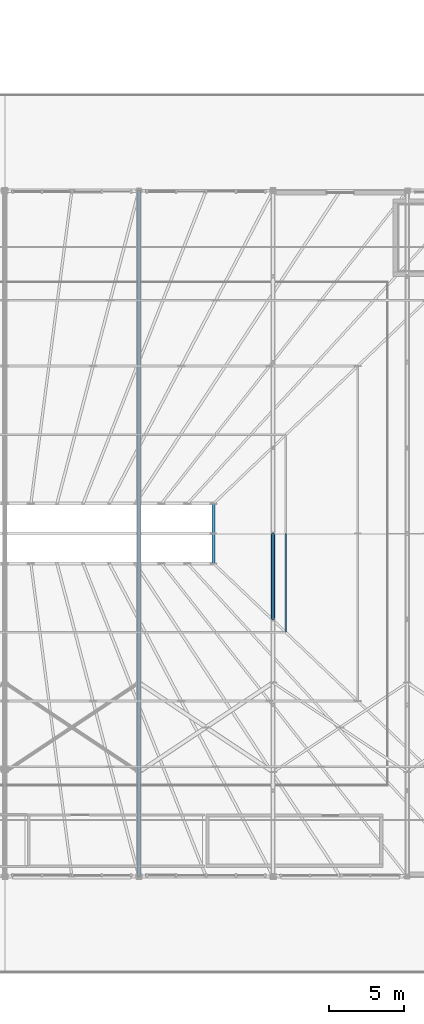
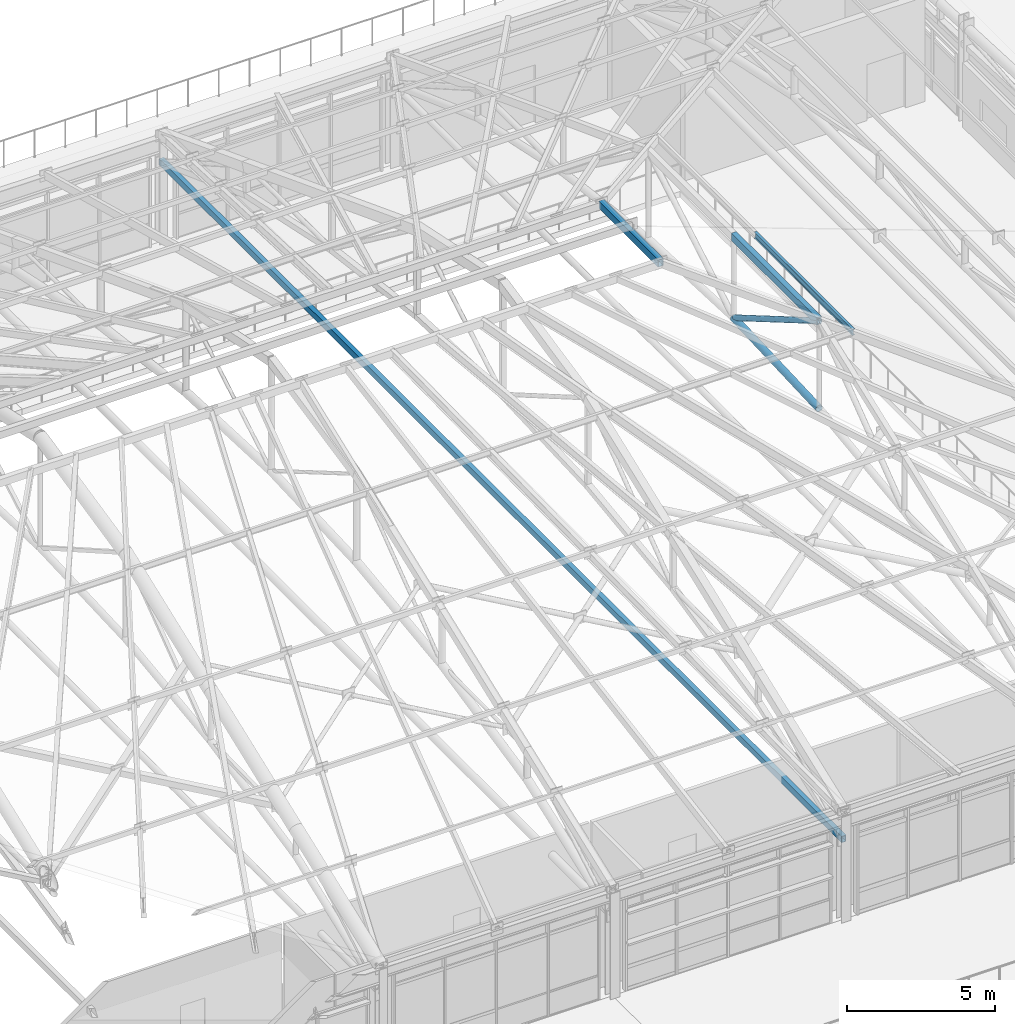
# One storey, part 43 of 168: 4 members, 2 beams.
"""IFC4 building model written with IfcOpenShell, lengths in metres."""

from ifc_helpers import new_model, si_unit, direction, frame, origin, origin_2d, place, context, subcontext, project, spatial, hollow_rectangle, hollow_circle, i_section, extrude, material, material_profile, profile_set, type_object, element, save


model = new_model("IFC4")

# Units and contexts
model_context = context("Model", 3, precision=1e-05, world=origin(), true_north=direction((0.0, 1.0)))
body_context = subcontext(model_context, "Body", "Model", "MODEL_VIEW")
ifc_project = project(units=[si_unit("LENGTHUNIT", "METRE"), si_unit("AREAUNIT", "SQUARE_METRE"), si_unit("VOLUMEUNIT", "CUBIC_METRE"), si_unit("PLANEANGLEUNIT", "RADIAN"), si_unit("MASSUNIT", "GRAM", prefix="KILO"), si_unit("THERMODYNAMICTEMPERATUREUNIT", "KELVIN"), si_unit("POWERUNIT", "WATT")], contexts=[model_context])

# Site, building, storey
site_placement = place(None, origin())
site = spatial("IfcSite", under=ifc_project, at=site_placement, CompositionType="ELEMENT")
building_placement = place(site_placement, origin())
building = spatial("IfcBuilding", under=site, at=building_placement, Name="Tepalcoro Natatorium and Aquatics Centre", CompositionType="ELEMENT")
storey_placement = place(building_placement, frame((0.0, 0.0, 10.199951171875)))
storey = spatial("IfcBuildingStorey", under=building, at=storey_placement, Name="L02", CompositionType="ELEMENT", Elevation=10.199951171875)

# Beams
ifc_material_1 = material(Name="Terracotta Painted Hollow Steel ASTM A500 Grade C (Fy 345 MPa)", Category="masonry")
ifc_material_profile_1 = material_profile(ifc_material_1, hollow_rectangle(XDim=0.199951171875, YDim=0.300048828125, WallThickness=0.013916015625, at=origin_2d()), Name="HSS300X200X14")
ifc_profile_set_1 = profile_set([ifc_material_profile_1], Name="Terracotta Painted Hollow Steel ASTM A500 Grade C (Fy 345 MPa)")
beam_type = type_object("IfcBeamType", Name="AC_HSS300x200x14", PredefinedType="USERDEFINED", material=ifc_profile_set_1)
beam_1_placement = place(storey_placement, frame((103.0, 34.0, 12.525146484375), z_axis=(0.0, 1.0, 0.0), x_axis=(-1.0, 0.0, 0.0)))
element("IfcBeam", 1, at=beam_1_placement, inside=storey, type_object=beam_type, Name="Pyramid Lantern Ring Chord E", ObjectType="ARCH CHORD", PredefinedType="USERDEFINED", context=body_context, shape_type="SweptSolid", body=[
    extrude(hollow_rectangle(XDim=0.199951171875, YDim=0.300048828125, WallThickness=0.013916015625, at=origin_2d()), origin(), (0.0, 0.0, 1.0), 4.0),
])
beam_2_placement = place(storey_placement, frame((107.0, 30.25, 11.011962890625), z_axis=(0.0, 1.0, 0.0), x_axis=(-1.0, 0.0, 0.0)))
element("IfcBeam", 2, at=beam_2_placement, inside=storey, type_object=beam_type, Name="V1 Arched Truss Top Chord 7", ObjectType="ARCH CHORD", PredefinedType="USERDEFINED", context=body_context, shape_type="SweptSolid", body=[
    extrude(hollow_rectangle(XDim=0.199951171875, YDim=0.300048828125, WallThickness=0.013916015625, at=origin_2d()), origin(), (0.0, 0.0, 1.0), 5.75),
])

# Members
ifc_material_profile_2 = material_profile(ifc_material_1, hollow_rectangle(XDim=0.179931640625, YDim=0.260009765625, WallThickness=0.013916015625, at=origin_2d()), Name="HSS260X180X14")
ifc_profile_set_2 = profile_set([ifc_material_profile_2], Name="Terracotta Painted Hollow Steel ASTM A500 Grade C (Fy 345 MPa)")
member_type_1 = type_object("IfcMemberType", Name="MB_AT_HSS260x180x14", PredefinedType="USERDEFINED", material=ifc_profile_set_2)
member_1_placement = place(storey_placement, frame((98.0, 13.0, 3.300048828125), z_axis=(0.0, 1.0, 0.0), x_axis=(-1.0, 0.0, 0.0)))
element("IfcMember", 3, at=member_1_placement, inside=storey, type_object=member_type_1, Name="V1 Tied-Arch Tension Tie 6", ObjectType="ARCH TIE", PredefinedType="USERDEFINED", context=body_context, shape_type="SweptSolid", body=[
    extrude(hollow_rectangle(XDim=0.179931640625, YDim=0.260009765625, WallThickness=0.013916015625, at=origin_2d()), origin(), (0.0, 0.0, 1.0), 46.0),
])
ifc_material_profile_3 = material_profile(ifc_material_1, hollow_circle(Radius=0.136474609375, WallThickness=0.01611328125, at=origin_2d()), Name="CHS273X16")
ifc_profile_set_3 = profile_set([ifc_material_profile_3], Name="Terracotta Painted Hollow Steel ASTM A500 Grade C (Fy 345 MPa)")
member_type_2 = type_object("IfcMemberType", Name="MB_CH_CHS273x16", PredefinedType="CHORD", material=ifc_profile_set_3)
member_2_placement = place(storey_placement, frame((107.0, 30.25, 7.403076171875), z_axis=(0.0, 0.999078119626, 0.042929137953), x_axis=(-1.0, 0.0, 0.0)))
element("IfcMember", 4, at=member_2_placement, inside=storey, type_object=member_type_2, Name="V1 Arched Truss Bottom Chord 7", PredefinedType="CHORD", context=body_context, shape_type="SweptSolid", body=[
    extrude(hollow_circle(Radius=0.136474609375, WallThickness=0.01611328125, at=origin_2d()), origin(), (0.0, 0.0, 1.0), 5.75537109375),
])
ifc_material_2 = material(Name="Steel ASTM A992 Grade 50 (Fy 345 MPa)", Category="steel")
ifc_material_profile_4 = material_profile(ifc_material_2, i_section(OverallWidth=0.10205078125, OverallDepth=0.259033203125, WebThickness=0.006103515625, FlangeThickness=0.010009765625, FilletRadius=0.013916015625, at=origin_2d()), Name="W10X19")
ifc_profile_set_4 = profile_set([ifc_material_profile_4], Name="Steel ASTM A992 Grade 50 (Fy 345 MPa)")
member_type_3 = type_object("IfcMemberType", Name="MB_PR_W10x19", PredefinedType="PURLIN", material=ifc_profile_set_4)
member_3_placement = place(storey_placement, frame((107.840087890625, 29.3798828125, 10.778076171875), z_axis=(0.0, 1.0, 0.0), x_axis=(-1.0, 0.0, 0.0)))
element("IfcMember", 5, at=member_3_placement, inside=storey, type_object=member_type_3, Name="Pyramid Horizontal Purlin E", PredefinedType="PURLIN", context=body_context, shape_type="SweptSolid", body=[
    extrude(i_section(OverallWidth=0.10205078125, OverallDepth=0.259033203125, WebThickness=0.006103515625, FlangeThickness=0.010009765625, FilletRadius=0.013916015625, at=origin_2d()), origin(), (0.0, 0.0, 1.0), 6.6201171875),
])
ifc_material_profile_5 = material_profile(ifc_material_1, hollow_circle(Radius=0.109619140625, WallThickness=0.013916015625, at=origin_2d()), Name="CHS219X14")
ifc_profile_set_5 = profile_set([ifc_material_profile_5], Name="Terracotta Painted Hollow Steel ASTM A500 Grade C (Fy 345 MPa)")
member_type_4 = type_object("IfcMemberType", Name="MB_ST_CHS219x14", PredefinedType="STRUT", material=ifc_profile_set_5)
member_4_placement = place(storey_placement, frame((107.0, 30.25, 11.011962890625), z_axis=(0.0, 0.863278611961, -0.504727687105), x_axis=(-1.0, 0.0, 0.0)))
element("IfcMember", 6, at=member_4_placement, inside=storey, type_object=member_type_4, Name="V1 Arched Truss Web Diagonal 7", PredefinedType="STRUT", context=body_context, shape_type="SweptSolid", body=[
    extrude(hollow_circle(Radius=0.109619140625, WallThickness=0.013916015625, at=origin_2d()), origin(), (0.0, 0.0, 1.0), 6.66064453125),
])

save(model, "model.ifc")
